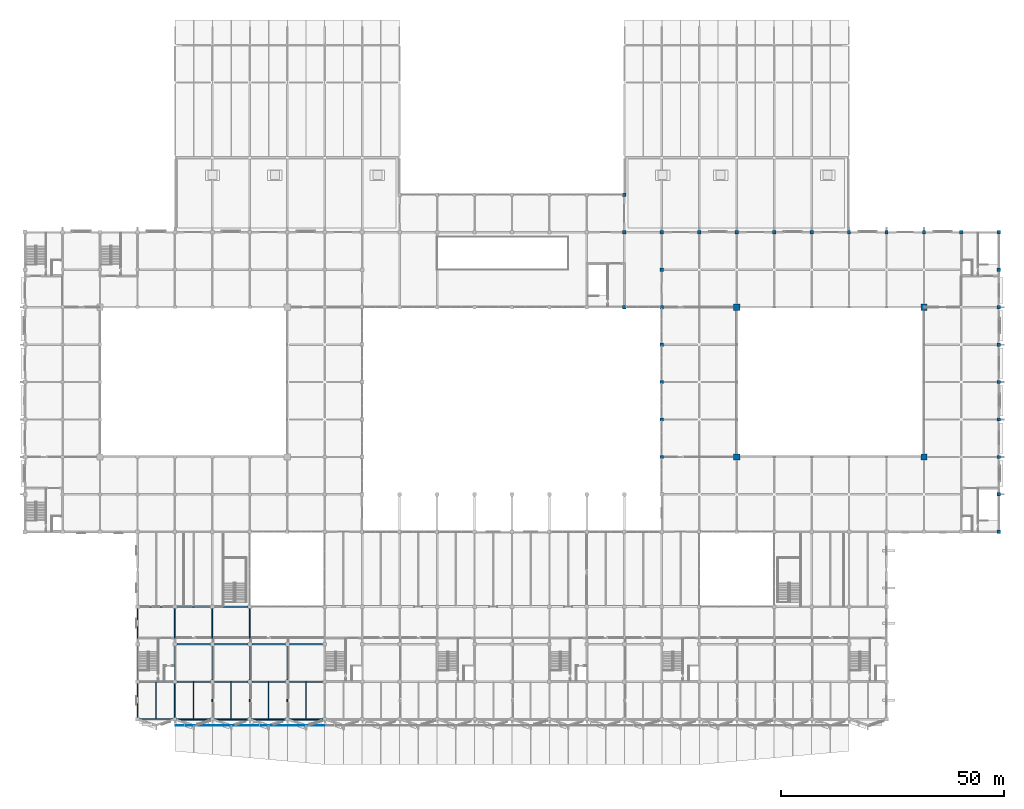
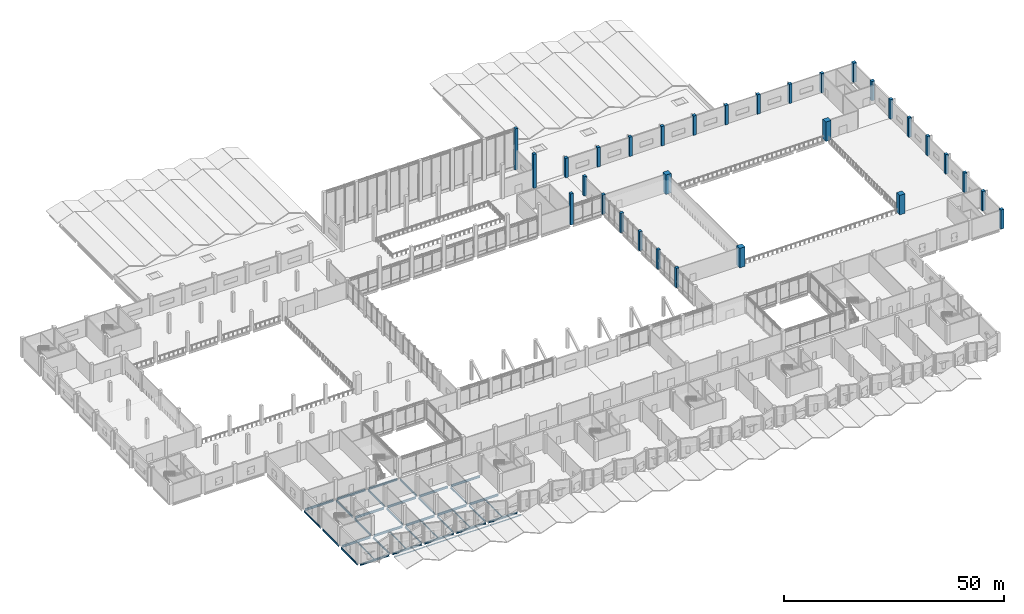
# One storey, part 2 of 72: 40 beams, 31 columns, 4 members.
"""IFC4 building model written with IfcOpenShell, lengths in metres."""

from ifc_helpers import new_model, si_unit, direction, frame, origin, origin_2d, place, context, subcontext, project, spatial, rectangle, hollow_rectangle, i_section, extrude, material, material_profile, profile_set, type_object, element, save


model = new_model("IFC4")

# Units and contexts
model_context = context("Model", 3, precision=1e-05, world=origin(), true_north=direction((0.0, 1.0)))
body_context = subcontext(model_context, "Body", "Model", "MODEL_VIEW")
ifc_project = project(units=[si_unit("LENGTHUNIT", "METRE"), si_unit("AREAUNIT", "SQUARE_METRE"), si_unit("VOLUMEUNIT", "CUBIC_METRE"), si_unit("PLANEANGLEUNIT", "RADIAN"), si_unit("MASSUNIT", "GRAM", prefix="KILO")], contexts=[model_context])

# Site, building, storey
site_placement = place(None, origin())
site = spatial("IfcSite", under=ifc_project, at=site_placement, CompositionType="ELEMENT")
building_placement = place(site_placement, origin())
building = spatial("IfcBuilding", under=site, at=building_placement, Name="Qawsi Khor Wholesale Market", CompositionType="ELEMENT")
storey_placement = place(building_placement, frame((0.0, 0.0, 6.0)))
storey = spatial("IfcBuildingStorey", under=building, at=storey_placement, Name="L01", CompositionType="ELEMENT", Elevation=6.0)

# Columns
ifc_material_1 = material(Name="Concrete C40/50", Category="concrete")
ifc_material_profile_1 = material_profile(ifc_material_1, rectangle(XDim=0.75, YDim=0.75, at=origin_2d()), Name="RC 750x750")
ifc_profile_set_1 = profile_set([ifc_material_profile_1], Name="Concrete C40/50")
column_type_1 = type_object("IfcColumnType", Name="Column RC 750x750", PredefinedType="COLUMN", material=ifc_profile_set_1)
column_1_placement = place(storey_placement, frame((134.39990234375, 92.39990234375, 0.0), z_axis=(0.0, 0.0, 1.0), x_axis=(1.0, 0.0, 0.0)))
element("IfcColumn", 1, at=column_1_placement, inside=storey, type_object=column_type_1, Name="Column RC 750x750 L01 (16,11)", PredefinedType="COLUMN", context=body_context, shape_type="SweptSolid", body=[
    extrude(rectangle(XDim=0.75, YDim=0.75, at=origin_2d()), origin(), (0.0, 0.0, 1.0), 8.639892578125),
])
column_2_placement = place(storey_placement, frame((134.39990234375, 109.199951171875, 0.0), z_axis=(0.0, 0.0, 1.0), x_axis=(1.0, 0.0, 0.0)))
element("IfcColumn", 2, at=column_2_placement, inside=storey, type_object=column_type_1, Name="Column RC 750x750 L01 (16,13)", PredefinedType="COLUMN", context=body_context, shape_type="SweptSolid", body=[
    extrude(rectangle(XDim=0.75, YDim=0.75, at=origin_2d()), origin(), (0.0, 0.0, 1.0), 9.43994140625),
])
column_3_placement = place(storey_placement, frame((134.39990234375, 117.60009765625, 0.0), z_axis=(0.0, 0.0, 1.0), x_axis=(1.0, 0.0, 0.0)))
element("IfcColumn", 3, at=column_3_placement, inside=storey, type_object=column_type_1, Name="Column RC 750x750 L01 (16,14)", PredefinedType="COLUMN", context=body_context, shape_type="SweptSolid", body=[
    extrude(rectangle(XDim=0.75, YDim=0.75, at=origin_2d()), origin(), (0.0, 0.0, 1.0), 11.43994140625),
])
for number, where, z_axis, x_axis, name in (
    (4, (142.800048828125, 58.800048828125, 0.0), (0.0, 0.0, 1.0), (1.0, 0.0, 0.0), "Column RC 750x750 L01 (17,7)"),
    (5, (142.800048828125, 67.199951171875, 0.0), (0.0, 0.0, 1.0), (1.0, 0.0, 0.0), "Column RC 750x750 L01 (17,8)"),
    (6, (142.800048828125, 75.60009765625, 0.0), (0.0, 0.0, 1.0), (1.0, 0.0, 0.0), "Column RC 750x750 L01 (17,9)"),
    (7, (142.800048828125, 84.0, 0.0), (0.0, 0.0, 1.0), (1.0, 0.0, 0.0), "Column RC 750x750 L01 (17,10)"),
    (8, (142.800048828125, 92.39990234375, 0.0), (0.0, 0.0, 1.0), (1.0, 0.0, 0.0), "Column RC 750x750 L01 (17,11)"),
    (9, (142.800048828125, 100.800048828125, 0.0), (0.0, 0.0, 1.0), (1.0, 0.0, 0.0), "Column RC 750x750 L01 (17,12)"),
    (10, (151.199951171875, 109.199951171875, 0.0), (0.0, 0.0, 1.0), (1.0, 0.0, 0.0), "Column RC 750x750 L01 (18,13)"),
    (11, (159.60009765625, 109.199951171875, 0.0), (0.0, 0.0, 1.0), (1.0, 0.0, 0.0), "Column RC 750x750 L01 (19,13)"),
    (12, (168.0, 109.199951171875, 0.0), (0.0, 0.0, 1.0), (1.0, 0.0, 0.0), "Column RC 750x750 L01 (20,13)"),
    (13, (176.39990234375, 109.199951171875, 0.0), (0.0, 0.0, 1.0), (1.0, 0.0, 0.0), "Column RC 750x750 L01 (21,13)"),
    (14, (184.800048828125, 109.199951171875, 0.0), (0.0, 0.0, 1.0), (1.0, 0.0, 0.0), "Column RC 750x750 L01 (22,13)"),
    (15, (193.199951171875, 109.199951171875, 0.0), (0.0, 0.0, 1.0), (1.0, 0.0, 0.0), "Column RC 750x750 L01 (23,13)"),
    (16, (201.60009765625, 109.199951171875, 0.0), (0.0, 0.0, 1.0), (1.0, 0.0, 0.0), "Column RC 750x750 L01 (24,13)"),
    (17, (210.0, 109.199951171875, 0.0), (0.0, 0.0, 1.0), (1.0, 0.0, 0.0), "Column RC 750x750 L01 (25,13)"),
    (18, (218.39990234375, 50.39990234375, 0.0), (0.0, 0.0, 1.0), (1.0, 0.0, 0.0), "Column RC 750x750 L01 (26,6)"),
    (19, (218.39990234375, 58.800048828125, 0.0), (0.0, 0.0, 1.0), (1.0, 0.0, 0.0), "Column RC 750x750 L01 (26,7)"),
    (20, (218.39990234375, 67.199951171875, 0.0), (0.0, 0.0, 1.0), (1.0, 0.0, 0.0), "Column RC 750x750 L01 (26,8)"),
    (21, (218.39990234375, 75.60009765625, 0.0), (0.0, 0.0, 1.0), (1.0, 0.0, 0.0), "Column RC 750x750 L01 (26,9)"),
    (22, (218.39990234375, 84.0, 0.0), (0.0, 0.0, 1.0), (1.0, 0.0, 0.0), "Column RC 750x750 L01 (26,10)"),
    (23, (218.39990234375, 92.39990234375, 0.0), (0.0, 0.0, 1.0), (1.0, 0.0, 0.0), "Column RC 750x750 L01 (26,11)"),
    (24, (218.39990234375, 100.800048828125, 0.0), (0.0, 0.0, 1.0), (1.0, 0.0, 0.0), "Column RC 750x750 L01 (26,12)"),
):
    element("IfcColumn", number, at=place(storey_placement, frame(where, z_axis=z_axis, x_axis=x_axis)), inside=storey, type_object=column_type_1, Name=name, PredefinedType="COLUMN", context=body_context, shape_type="SweptSolid", body=[
        extrude(rectangle(XDim=0.75, YDim=0.75, at=origin_2d()), origin(), (0.0, 0.0, 1.0), 5.39990234375),
    ])
ifc_material_profile_2 = material_profile(ifc_material_1, rectangle(XDim=0.800048828125, YDim=0.800048828125, at=origin_2d()), Name="RC 800x800")
ifc_profile_set_2 = profile_set([ifc_material_profile_2], Name="Concrete C40/50")
column_type_2 = type_object("IfcColumnType", Name="Column RC 800x800", PredefinedType="COLUMN", material=ifc_profile_set_2)
for number, where, z_axis, x_axis, name in (
    (25, (142.800048828125, 109.199951171875, 0.0), (0.0, 0.0, 1.0), (1.0, 0.0, 0.0), "Column RC 800x800 L01 (17,13)"),
    (26, (218.39990234375, 42.0, 0.0), (0.0, 0.0, 1.0), (1.0, 0.0, 0.0), "Column RC 800x800 L01 (26,5)"),
    (27, (218.39990234375, 109.199951171875, 0.0), (0.0, 0.0, 1.0), (1.0, 0.0, 0.0), "Column RC 800x800 L01 (26,13)"),
):
    element("IfcColumn", number, at=place(storey_placement, frame(where, z_axis=z_axis, x_axis=x_axis)), inside=storey, type_object=column_type_2, Name=name, PredefinedType="COLUMN", context=body_context, shape_type="SweptSolid", body=[
        extrude(rectangle(XDim=0.800048828125, YDim=0.800048828125, at=origin_2d()), origin(), (0.0, 0.0, 1.0), 5.39990234375),
    ])
ifc_material_profile_3 = material_profile(ifc_material_1, rectangle(XDim=1.39990234375, YDim=1.39990234375, at=origin_2d()), Name="RC 1400x1400")
ifc_profile_set_3 = profile_set([ifc_material_profile_3], Name="Concrete C40/50")
column_type_3 = type_object("IfcColumnType", Name="Hall Mega-Column RC 1400x1400", PredefinedType="COLUMN", material=ifc_profile_set_3)
for number, where, z_axis, x_axis, name in (
    (28, (159.60009765625, 58.800048828125, 0.0), (0.0, 0.0, 1.0), (1.0, 0.0, 0.0), "Hall Mega-Column RC 1400x1400 L01 (19,7)"),
    (29, (159.60009765625, 92.39990234375, 0.0), (0.0, 0.0, 1.0), (1.0, 0.0, 0.0), "Hall Mega-Column RC 1400x1400 L01 (19,11)"),
    (30, (201.60009765625, 58.800048828125, 0.0), (0.0, 0.0, 1.0), (1.0, 0.0, 0.0), "Hall Mega-Column RC 1400x1400 L01 (24,7)"),
    (31, (201.60009765625, 92.39990234375, 0.0), (0.0, 0.0, 1.0), (1.0, 0.0, 0.0), "Hall Mega-Column RC 1400x1400 L01 (24,11)"),
):
    element("IfcColumn", number, at=place(storey_placement, frame(where, z_axis=z_axis, x_axis=x_axis)), inside=storey, type_object=column_type_3, Name=name, PredefinedType="COLUMN", context=body_context, shape_type="SweptSolid", body=[
        extrude(rectangle(XDim=1.39990234375, YDim=1.39990234375, at=origin_2d()), origin(), (0.0, 0.0, 1.0), 5.39990234375),
    ])

# Beams
ifc_material_2 = material(Name="Steel S355", Category="steel")
ifc_material_profile_4 = material_profile(ifc_material_2, i_section(OverallWidth=0.135009765625, OverallDepth=0.27001953125, WebThickness=0.006591796875, FlangeThickness=0.01025390625, FilletRadius=0.014892578125, at=origin_2d()), Name="IPE 270")
ifc_profile_set_4 = profile_set([ifc_material_profile_4], Name="Steel S355")
beam_type_1 = type_object("IfcBeamType", Name="Canopy Beam IPE 270", PredefinedType="BEAM", material=ifc_profile_set_4)
for number, where, z_axis, x_axis, name in (
    (32, (34.0, -0.199951171875, -0.419921875), (1.0, 0.0, 0.0), (0.0, 1.0, 0.0), "Canopy tie beam 4"),
    (33, (42.39990234375, -0.199951171875, -0.419921875), (1.0, 0.0, 0.0), (0.0, 1.0, 0.0), "Canopy tie beam 5"),
):
    element("IfcBeam", number, at=place(storey_placement, frame(where, z_axis=z_axis, x_axis=x_axis)), inside=storey, type_object=beam_type_1, Name=name, PredefinedType="BEAM", context=body_context, shape_type="SweptSolid", body=[
        extrude(i_section(OverallWidth=0.135009765625, OverallDepth=0.27001953125, WebThickness=0.006591796875, FlangeThickness=0.01025390625, FilletRadius=0.014892578125, at=origin_2d()), origin(), (0.0, 0.0, 1.0), 7.60009765625),
    ])
beam_1_placement = place(storey_placement, frame((50.800048828125, -0.199951171875, -0.419921875), z_axis=(1.0, 0.0, 0.0), x_axis=(0.0, 1.0, 0.0)))
element("IfcBeam", 34, at=beam_1_placement, inside=storey, type_object=beam_type_1, Name="Canopy tie beam 6", PredefinedType="BEAM", context=body_context, shape_type="SweptSolid", body=[
    extrude(i_section(OverallWidth=0.135009765625, OverallDepth=0.27001953125, WebThickness=0.006591796875, FlangeThickness=0.01025390625, FilletRadius=0.014892578125, at=origin_2d()), origin(), (0.0, 0.0, 1.0), 7.599853515625),
])
beam_2_placement = place(storey_placement, frame((59.199951171875, -0.199951171875, -0.419921875), z_axis=(1.0, 0.0, 0.0), x_axis=(0.0, 1.0, 0.0)))
element("IfcBeam", 35, at=beam_2_placement, inside=storey, type_object=beam_type_1, Name="Canopy tie beam 7", PredefinedType="BEAM", context=body_context, shape_type="SweptSolid", body=[
    extrude(i_section(OverallWidth=0.135009765625, OverallDepth=0.27001953125, WebThickness=0.006591796875, FlangeThickness=0.01025390625, FilletRadius=0.014892578125, at=origin_2d()), origin(), (0.0, 0.0, 1.0), 7.60009765625),
])

# Members
ifc_material_profile_5 = material_profile(ifc_material_2, hollow_rectangle(XDim=0.10009765625, YDim=0.179931640625, WallThickness=0.008056640625, InnerFilletRadius=0.008056640625, OuterFilletRadius=0.01611328125, at=origin_2d()), Name="RHS 180x100x8.0")
ifc_profile_set_5 = profile_set([ifc_material_profile_5], Name="Steel S355")
member_type = type_object("IfcMemberType", Name="Canopy Sub-Purlin RHS 180x100x8.0", PredefinedType="PURLIN", material=ifc_profile_set_5)
for number, where, z_axis, x_axis, name in (
    (36, (33.75, -1.449951171875, -0.3798828125), (1.0, 0.0, 0.0), (0.0, 1.0, 0.0), "Canopy valley sub-purlin 4"),
    (37, (42.14990234375, -1.449951171875, -0.3798828125), (1.0, 0.0, 0.0), (0.0, 1.0, 0.0), "Canopy valley sub-purlin 5"),
):
    element("IfcMember", number, at=place(storey_placement, frame(where, z_axis=z_axis, x_axis=x_axis)), inside=storey, type_object=member_type, Name=name, PredefinedType="PURLIN", context=body_context, shape_type="SweptSolid", body=[
        extrude(hollow_rectangle(XDim=0.10009765625, YDim=0.179931640625, WallThickness=0.008056640625, InnerFilletRadius=0.008056640625, OuterFilletRadius=0.01611328125, at=origin_2d()), origin(), (0.0, 0.0, 1.0), 8.10009765625),
    ])
member_1_placement = place(storey_placement, frame((50.550048828125, -1.449951171875, -0.3798828125), z_axis=(1.0, 0.0, 0.0), x_axis=(0.0, 1.0, 0.0)))
element("IfcMember", 38, at=member_1_placement, inside=storey, type_object=member_type, Name="Canopy valley sub-purlin 6", PredefinedType="PURLIN", context=body_context, shape_type="SweptSolid", body=[
    extrude(hollow_rectangle(XDim=0.10009765625, YDim=0.179931640625, WallThickness=0.008056640625, InnerFilletRadius=0.008056640625, OuterFilletRadius=0.01611328125, at=origin_2d()), origin(), (0.0, 0.0, 1.0), 8.099853515625),
])
member_2_placement = place(storey_placement, frame((58.949951171875, -1.449951171875, -0.3798828125), z_axis=(1.0, 0.0, 0.0), x_axis=(0.0, 1.0, 0.0)))
element("IfcMember", 39, at=member_2_placement, inside=storey, type_object=member_type, Name="Canopy valley sub-purlin 7", PredefinedType="PURLIN", context=body_context, shape_type="SweptSolid", body=[
    extrude(hollow_rectangle(XDim=0.10009765625, YDim=0.179931640625, WallThickness=0.008056640625, InnerFilletRadius=0.008056640625, OuterFilletRadius=0.01611328125, at=origin_2d()), origin(), (0.0, 0.0, 1.0), 8.10009765625),
])

# Beams
ifc_material_profile_6 = material_profile(ifc_material_2, i_section(OverallWidth=0.1201171875, OverallDepth=0.239990234375, WebThickness=0.006103515625, FlangeThickness=0.009765625, FilletRadius=0.014892578125, at=origin_2d()), Name="IPE 240")
ifc_profile_set_6 = profile_set([ifc_material_profile_6], Name="Steel S355")
beam_type_2 = type_object("IfcBeamType", Name="Floor Joist IPE 240", PredefinedType="JOIST", material=ifc_profile_set_6)
for number, where, z_axis, x_axis, name in (
    (40, (29.39990234375, 0.14990234375, -0.39990234375), (0.0, 1.0, 0.0), (-1.0, 0.0, 0.0), "JST-S-L01-03"),
    (41, (37.800048828125, 0.14990234375, -0.39990234375), (0.0, 1.0, 0.0), (-1.0, 0.0, 0.0), "JST-S-L01-04"),
    (42, (46.199951171875, 0.14990234375, -0.39990234375), (0.0, 1.0, 0.0), (-1.0, 0.0, 0.0), "JST-S-L01-05"),
    (43, (54.60009765625, 0.14990234375, -0.39990234375), (0.0, 1.0, 0.0), (-1.0, 0.0, 0.0), "JST-S-L01-06"),
    (44, (63.0, 0.14990234375, -0.39990234375), (0.0, 1.0, 0.0), (-1.0, 0.0, 0.0), "JST-S-L01-07"),
):
    element("IfcBeam", number, at=place(storey_placement, frame(where, z_axis=z_axis, x_axis=x_axis)), inside=storey, type_object=beam_type_2, Name=name, PredefinedType="JOIST", context=body_context, shape_type="SweptSolid", body=[
        extrude(i_section(OverallWidth=0.1201171875, OverallDepth=0.239990234375, WebThickness=0.006103515625, FlangeThickness=0.009765625, FilletRadius=0.014892578125, at=origin_2d()), origin(), (0.0, 0.0, 1.0), 8.10009765625),
    ])
ifc_material_profile_7 = material_profile(ifc_material_2, i_section(OverallWidth=0.300048828125, OverallDepth=0.5, WebThickness=0.014404296875, FlangeThickness=0.028076171875, FilletRadius=0.027099609375, at=origin_2d()), Name="HEB 500")
ifc_profile_set_7 = profile_set([ifc_material_profile_7], Name="Steel S355")
beam_type_3 = type_object("IfcBeamType", Name="Heavy Edge Girder HEB 500", PredefinedType="BEAM", material=ifc_profile_set_7)
beam_3_placement = place(storey_placement, frame((25.60009765625, 0.0, -0.530029296875), z_axis=(1.0, 0.0, 0.0), x_axis=(0.0, 1.0, 0.0)))
element("IfcBeam", 45, at=beam_3_placement, inside=storey, type_object=beam_type_3, Name="BM-X-L01-03_+00", PredefinedType="BEAM", context=body_context, shape_type="SweptSolid", body=[
    extrude(i_section(OverallWidth=0.300048828125, OverallDepth=0.5, WebThickness=0.014404296875, FlangeThickness=0.028076171875, FilletRadius=0.027099609375, at=origin_2d()), origin(), (0.0, 0.0, 1.0), 7.599853515625),
])
for number, where, z_axis, x_axis, name in (
    (46, (34.0, 0.0, -0.530029296875), (1.0, 0.0, 0.0), (0.0, 1.0, 0.0), "BM-X-L01-04_+00"),
    (47, (42.39990234375, 0.0, -0.530029296875), (1.0, 0.0, 0.0), (0.0, 1.0, 0.0), "BM-X-L01-05_+00"),
):
    element("IfcBeam", number, at=place(storey_placement, frame(where, z_axis=z_axis, x_axis=x_axis)), inside=storey, type_object=beam_type_3, Name=name, PredefinedType="BEAM", context=body_context, shape_type="SweptSolid", body=[
        extrude(i_section(OverallWidth=0.300048828125, OverallDepth=0.5, WebThickness=0.014404296875, FlangeThickness=0.028076171875, FilletRadius=0.027099609375, at=origin_2d()), origin(), (0.0, 0.0, 1.0), 7.60009765625),
    ])
beam_4_placement = place(storey_placement, frame((50.800048828125, 0.0, -0.530029296875), z_axis=(1.0, 0.0, 0.0), x_axis=(0.0, 1.0, 0.0)))
element("IfcBeam", 48, at=beam_4_placement, inside=storey, type_object=beam_type_3, Name="BM-X-L01-06_+00", PredefinedType="BEAM", context=body_context, shape_type="SweptSolid", body=[
    extrude(i_section(OverallWidth=0.300048828125, OverallDepth=0.5, WebThickness=0.014404296875, FlangeThickness=0.028076171875, FilletRadius=0.027099609375, at=origin_2d()), origin(), (0.0, 0.0, 1.0), 7.599853515625),
])
beam_5_placement = place(storey_placement, frame((59.199951171875, 0.0, -0.530029296875), z_axis=(1.0, 0.0, 0.0), x_axis=(0.0, 1.0, 0.0)))
element("IfcBeam", 49, at=beam_5_placement, inside=storey, type_object=beam_type_3, Name="BM-X-L01-07_+00", PredefinedType="BEAM", context=body_context, shape_type="SweptSolid", body=[
    extrude(i_section(OverallWidth=0.300048828125, OverallDepth=0.5, WebThickness=0.014404296875, FlangeThickness=0.028076171875, FilletRadius=0.027099609375, at=origin_2d()), origin(), (0.0, 0.0, 1.0), 7.60009765625),
])
ifc_material_profile_8 = material_profile(ifc_material_2, i_section(OverallWidth=0.300048828125, OverallDepth=0.590087890625, WebThickness=0.012939453125, FlangeThickness=0.02490234375, FilletRadius=0.027099609375, at=origin_2d()), Name="HEA 600")
ifc_profile_set_8 = profile_set([ifc_material_profile_8], Name="Steel S355")
beam_type_4 = type_object("IfcBeamType", Name="Primary Girder HEA 600", PredefinedType="BEAM", material=ifc_profile_set_8)
for number, where, z_axis, x_axis, name in (
    (50, (25.64990234375, 8.39990234375, -0.574951171875), (1.0, 0.0, 0.0), (0.0, 1.0, 0.0), "BM-X-L01-03_+01"),
    (51, (25.64990234375, 25.199951171875, -0.574951171875), (1.0, 0.0, 0.0), (0.0, 1.0, 0.0), "BM-X-L01-03_+03"),
    (52, (34.050048828125, 8.39990234375, -0.574951171875), (1.0, 0.0, 0.0), (0.0, 1.0, 0.0), "BM-X-L01-04_+01"),
    (53, (34.050048828125, 16.800048828125, -0.574951171875), (1.0, 0.0, 0.0), (0.0, 1.0, 0.0), "BM-X-L01-04_+02"),
    (54, (34.050048828125, 25.199951171875, -0.574951171875), (1.0, 0.0, 0.0), (0.0, 1.0, 0.0), "BM-X-L01-04_+03"),
    (55, (42.449951171875, 8.39990234375, -0.574951171875), (1.0, 0.0, 0.0), (0.0, 1.0, 0.0), "BM-X-L01-05_+01"),
    (56, (42.449951171875, 16.800048828125, -0.574951171875), (1.0, 0.0, 0.0), (0.0, 1.0, 0.0), "BM-X-L01-05_+02"),
    (57, (42.449951171875, 25.199951171875, -0.574951171875), (1.0, 0.0, 0.0), (0.0, 1.0, 0.0), "BM-X-L01-05_+03"),
    (58, (50.85009765625, 8.39990234375, -0.574951171875), (1.0, 0.0, 0.0), (0.0, 1.0, 0.0), "BM-X-L01-06_+01"),
    (59, (50.85009765625, 16.800048828125, -0.574951171875), (1.0, 0.0, 0.0), (0.0, 1.0, 0.0), "BM-X-L01-06_+02"),
    (60, (59.25, 8.39990234375, -0.574951171875), (1.0, 0.0, 0.0), (0.0, 1.0, 0.0), "BM-X-L01-07_+01"),
    (61, (59.25, 16.800048828125, -0.574951171875), (1.0, 0.0, 0.0), (0.0, 1.0, 0.0), "BM-X-L01-07_+02"),
):
    element("IfcBeam", number, at=place(storey_placement, frame(where, z_axis=z_axis, x_axis=x_axis)), inside=storey, type_object=beam_type_4, Name=name, PredefinedType="BEAM", context=body_context, shape_type="SweptSolid", body=[
        extrude(i_section(OverallWidth=0.300048828125, OverallDepth=0.590087890625, WebThickness=0.012939453125, FlangeThickness=0.02490234375, FilletRadius=0.027099609375, at=origin_2d()), origin(), (0.0, 0.0, 1.0), 7.5),
    ])
ifc_material_profile_9 = material_profile(ifc_material_2, i_section(OverallWidth=0.199951171875, OverallDepth=0.5, WebThickness=0.01025390625, FlangeThickness=0.01611328125, FilletRadius=0.02099609375, at=origin_2d()), Name="IPE 500")
ifc_profile_set_9 = profile_set([ifc_material_profile_9], Name="Steel S355")
beam_type_5 = type_object("IfcBeamType", Name="Secondary Beam IPE 500", PredefinedType="BEAM", material=ifc_profile_set_9)
beam_6_placement = place(storey_placement, frame((25.199951171875, 0.39990234375, -0.530029296875), z_axis=(0.0, 1.0, 0.0), x_axis=(-1.0, 0.0, 0.0)))
element("IfcBeam", 62, at=beam_6_placement, inside=storey, type_object=beam_type_5, Name="BM-Y-L01-03_+00", PredefinedType="BEAM", context=body_context, shape_type="SweptSolid", body=[
    extrude(i_section(OverallWidth=0.199951171875, OverallDepth=0.5, WebThickness=0.01025390625, FlangeThickness=0.01611328125, FilletRadius=0.02099609375, at=origin_2d()), origin(), (0.0, 0.0, 1.0), 7.550048828125),
])
for number, where, z_axis, x_axis, name in (
    (63, (25.199951171875, 8.85009765625, -0.530029296875), (0.0, 1.0, 0.0), (-1.0, 0.0, 0.0), "BM-Y-L01-03_+01"),
    (64, (25.199951171875, 17.25, -0.530029296875), (0.0, 1.0, 0.0), (-1.0, 0.0, 0.0), "BM-Y-L01-03_+02"),
):
    element("IfcBeam", number, at=place(storey_placement, frame(where, z_axis=z_axis, x_axis=x_axis)), inside=storey, type_object=beam_type_5, Name=name, PredefinedType="BEAM", context=body_context, shape_type="SweptSolid", body=[
        extrude(i_section(OverallWidth=0.199951171875, OverallDepth=0.5, WebThickness=0.01025390625, FlangeThickness=0.01611328125, FilletRadius=0.02099609375, at=origin_2d()), origin(), (0.0, 0.0, 1.0), 7.5),
    ])
beam_7_placement = place(storey_placement, frame((33.60009765625, 0.39990234375, -0.530029296875), z_axis=(0.0, 1.0, 0.0), x_axis=(-1.0, 0.0, 0.0)))
element("IfcBeam", 65, at=beam_7_placement, inside=storey, type_object=beam_type_5, Name="BM-Y-L01-04_+00", PredefinedType="BEAM", context=body_context, shape_type="SweptSolid", body=[
    extrude(i_section(OverallWidth=0.199951171875, OverallDepth=0.5, WebThickness=0.01025390625, FlangeThickness=0.01611328125, FilletRadius=0.02099609375, at=origin_2d()), origin(), (0.0, 0.0, 1.0), 7.550048828125),
])
for number, where, z_axis, x_axis, name in (
    (66, (33.60009765625, 8.85009765625, -0.530029296875), (0.0, 1.0, 0.0), (-1.0, 0.0, 0.0), "BM-Y-L01-04_+01"),
    (67, (33.60009765625, 17.25, -0.530029296875), (0.0, 1.0, 0.0), (-1.0, 0.0, 0.0), "BM-Y-L01-04_+02"),
):
    element("IfcBeam", number, at=place(storey_placement, frame(where, z_axis=z_axis, x_axis=x_axis)), inside=storey, type_object=beam_type_5, Name=name, PredefinedType="BEAM", context=body_context, shape_type="SweptSolid", body=[
        extrude(i_section(OverallWidth=0.199951171875, OverallDepth=0.5, WebThickness=0.01025390625, FlangeThickness=0.01611328125, FilletRadius=0.02099609375, at=origin_2d()), origin(), (0.0, 0.0, 1.0), 7.5),
    ])
beam_8_placement = place(storey_placement, frame((42.0, 0.39990234375, -0.530029296875), z_axis=(0.0, 1.0, 0.0), x_axis=(-1.0, 0.0, 0.0)))
element("IfcBeam", 68, at=beam_8_placement, inside=storey, type_object=beam_type_5, Name="BM-Y-L01-05_+00", PredefinedType="BEAM", context=body_context, shape_type="SweptSolid", body=[
    extrude(i_section(OverallWidth=0.199951171875, OverallDepth=0.5, WebThickness=0.01025390625, FlangeThickness=0.01611328125, FilletRadius=0.02099609375, at=origin_2d()), origin(), (0.0, 0.0, 1.0), 7.550048828125),
])
for number, where, z_axis, x_axis, name in (
    (69, (42.0, 8.85009765625, -0.530029296875), (0.0, 1.0, 0.0), (-1.0, 0.0, 0.0), "BM-Y-L01-05_+01"),
    (70, (42.0, 17.25, -0.530029296875), (0.0, 1.0, 0.0), (-1.0, 0.0, 0.0), "BM-Y-L01-05_+02"),
):
    element("IfcBeam", number, at=place(storey_placement, frame(where, z_axis=z_axis, x_axis=x_axis)), inside=storey, type_object=beam_type_5, Name=name, PredefinedType="BEAM", context=body_context, shape_type="SweptSolid", body=[
        extrude(i_section(OverallWidth=0.199951171875, OverallDepth=0.5, WebThickness=0.01025390625, FlangeThickness=0.01611328125, FilletRadius=0.02099609375, at=origin_2d()), origin(), (0.0, 0.0, 1.0), 7.5),
    ])
beam_9_placement = place(storey_placement, frame((50.39990234375, 0.39990234375, -0.530029296875), z_axis=(0.0, 1.0, 0.0), x_axis=(-1.0, 0.0, 0.0)))
element("IfcBeam", 71, at=beam_9_placement, inside=storey, type_object=beam_type_5, Name="BM-Y-L01-06_+00", PredefinedType="BEAM", context=body_context, shape_type="SweptSolid", body=[
    extrude(i_section(OverallWidth=0.199951171875, OverallDepth=0.5, WebThickness=0.01025390625, FlangeThickness=0.01611328125, FilletRadius=0.02099609375, at=origin_2d()), origin(), (0.0, 0.0, 1.0), 7.550048828125),
])
for number, where, z_axis, x_axis, name in (
    (72, (50.39990234375, 8.85009765625, -0.530029296875), (0.0, 1.0, 0.0), (-1.0, 0.0, 0.0), "BM-Y-L01-06_+01"),
    (73, (50.39990234375, 17.25, -0.530029296875), (0.0, 1.0, 0.0), (-1.0, 0.0, 0.0), "BM-Y-L01-06_+02"),
):
    element("IfcBeam", number, at=place(storey_placement, frame(where, z_axis=z_axis, x_axis=x_axis)), inside=storey, type_object=beam_type_5, Name=name, PredefinedType="BEAM", context=body_context, shape_type="SweptSolid", body=[
        extrude(i_section(OverallWidth=0.199951171875, OverallDepth=0.5, WebThickness=0.01025390625, FlangeThickness=0.01611328125, FilletRadius=0.02099609375, at=origin_2d()), origin(), (0.0, 0.0, 1.0), 7.5),
    ])
beam_10_placement = place(storey_placement, frame((58.800048828125, 0.39990234375, -0.530029296875), z_axis=(0.0, 1.0, 0.0), x_axis=(-1.0, 0.0, 0.0)))
element("IfcBeam", 74, at=beam_10_placement, inside=storey, type_object=beam_type_5, Name="BM-Y-L01-07_+00", PredefinedType="BEAM", context=body_context, shape_type="SweptSolid", body=[
    extrude(i_section(OverallWidth=0.199951171875, OverallDepth=0.5, WebThickness=0.01025390625, FlangeThickness=0.01611328125, FilletRadius=0.02099609375, at=origin_2d()), origin(), (0.0, 0.0, 1.0), 7.550048828125),
])
beam_11_placement = place(storey_placement, frame((58.800048828125, 8.85009765625, -0.530029296875), z_axis=(0.0, 1.0, 0.0), x_axis=(-1.0, 0.0, 0.0)))
element("IfcBeam", 75, at=beam_11_placement, inside=storey, type_object=beam_type_5, Name="BM-Y-L01-07_+01", PredefinedType="BEAM", context=body_context, shape_type="SweptSolid", body=[
    extrude(i_section(OverallWidth=0.199951171875, OverallDepth=0.5, WebThickness=0.01025390625, FlangeThickness=0.01611328125, FilletRadius=0.02099609375, at=origin_2d()), origin(), (0.0, 0.0, 1.0), 7.5),
])

save(model, "model.ifc")
